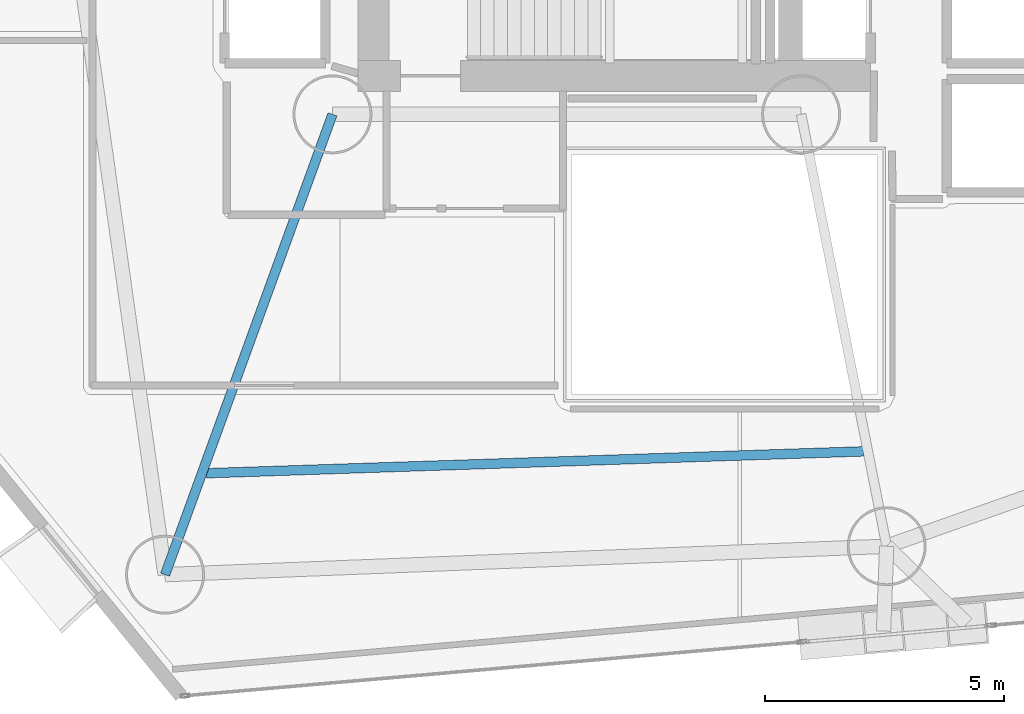
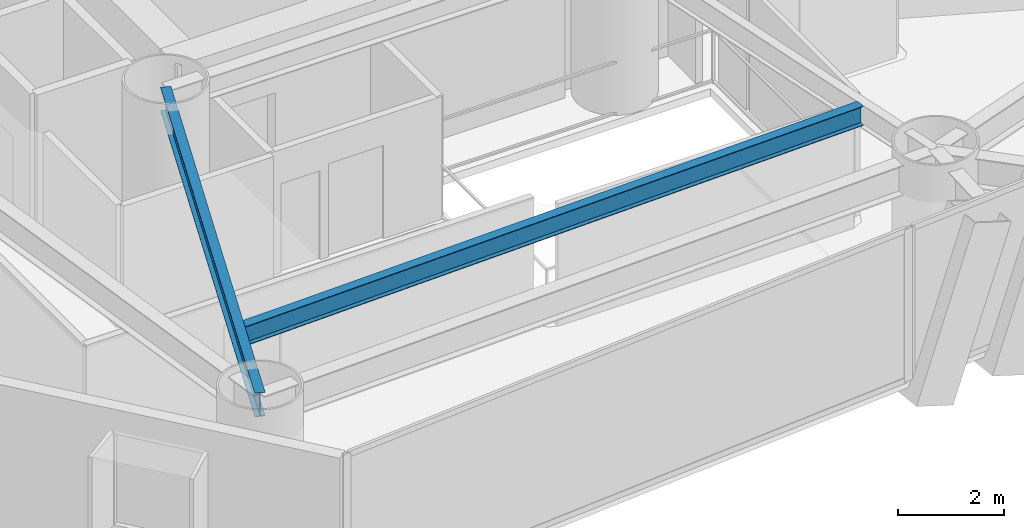
# One storey, part 3 of 23: 2 beams.
"""IFC4 building model written with IfcOpenShell, lengths in metres."""

import ifcopenshell
import ifcopenshell.guid

model = None  # the IFC model being written
_history = None  # IfcOwnerHistory: only IFC2X3 demands one
_inside = {}  # id of a spatial element -> (the spatial element, [elements in it])
_under = {}  # id of a project, library or spatial element -> (it, [spatial elements below it])
_declared = {}  # id of a project -> (the project, [libraries it declares])
_typed = {}  # id of a type object -> (the type object, [elements of that type])
_made_of = {}  # id of a material, layer set ... -> (it, [elements and type objects made of it])


def new_model(schema):
    """Start an empty IFC model of exactly this schema.

    Asked for "IFC4X3", IfcOpenShell would pick the latest addendum, in which some entities
    have other attributes; the version numbers below select the first issue.
    IFC2X3 requires an IfcOwnerHistory on every rooted entity: one is made here for all.
    """
    global model, _history
    if schema == "IFC4X3":
        model = ifcopenshell.file(schema_version=(4, 3, 0, 0))
    else:
        model = ifcopenshell.file(schema=schema)
    _inside.clear()
    _under.clear()
    _declared.clear()
    _typed.clear()
    _made_of.clear()
    _history = None
    if model.schema == "IFC2X3":
        org = make("IfcOrganization", Name="unknown")
        user = make(
            "IfcPersonAndOrganization",
            ThePerson=make("IfcPerson", FamilyName="unknown"),
            TheOrganization=org,
        )
        app = make(
            "IfcApplication",
            ApplicationDeveloper=org,
            Version="unknown",
            ApplicationFullName="unknown",
            ApplicationIdentifier="unknown",
        )
        _history = make(
            "IfcOwnerHistory",
            OwningUser=user,
            OwningApplication=app,
            ChangeAction="ADDED",
            CreationDate=0,
        )
    return model


def make(cls, **values):
    """One entity of the class cls with the attributes given. An attribute that is None is left unset."""
    return model.create_entity(
        cls, **{name: value for name, value in values.items() if value is not None}
    )


def rooted(cls, **values):
    """An entity with a GlobalId (a new one), such as an element, a storey or a relation."""
    return make(cls, GlobalId=ifcopenshell.guid.new(), OwnerHistory=_history, **values)


def si_unit(unit_type, name, prefix=None):
    """IfcSIUnit, for example si_unit("LENGTHUNIT", "METRE", prefix="MILLI")."""
    return make("IfcSIUnit", UnitType=unit_type, Prefix=prefix, Name=name)


def assignment(units):
    """IfcUnitAssignment: the units of a project."""
    return None if units is None else make("IfcUnitAssignment", Units=units)


def point(xyz):
    """IfcCartesianPoint."""
    return None if xyz is None else make("IfcCartesianPoint", Coordinates=xyz)


def direction(xyz):
    """IfcDirection."""
    return None if xyz is None else make("IfcDirection", DirectionRatios=xyz)


def frame(location, z_axis=None, x_axis=None):
    """IfcAxis2Placement3D, a coordinate frame: its origin and axes. An axis left out is left unset."""
    return make(
        "IfcAxis2Placement3D",
        Location=point(location),
        Axis=direction(z_axis),
        RefDirection=direction(x_axis),
    )


def frame_2d(location, x_axis=None):
    """IfcAxis2Placement2D, a coordinate frame in the plane: its origin and x axis."""
    return make(
        "IfcAxis2Placement2D", Location=point(location), RefDirection=direction(x_axis)
    )


def origin():
    """The frame at (0, 0, 0) with its axes left unset."""
    return frame((0.0, 0.0, 0.0))


def origin_2d():
    """The frame at (0, 0) in the plane with its x axis left unset."""
    return frame_2d((0.0, 0.0))


def place(relative_to, where):
    """IfcLocalPlacement: puts the frame where relative to a parent placement (None: the world)."""
    return make(
        "IfcLocalPlacement", PlacementRelTo=relative_to, RelativePlacement=where
    )


def context(
    kind, dimensions, precision=None, world=None, true_north=None, identifier=None
):
    """IfcGeometricRepresentationContext, for example the 3D "Model" context."""
    return make(
        "IfcGeometricRepresentationContext",
        ContextIdentifier=identifier,
        ContextType=kind,
        CoordinateSpaceDimension=dimensions,
        Precision=precision,
        WorldCoordinateSystem=world,
        TrueNorth=true_north,
    )


def subcontext(parent, identifier, kind, view, scale=None):
    """IfcGeometricRepresentationSubContext, for example "Body" below "Model"."""
    return make(
        "IfcGeometricRepresentationSubContext",
        ContextIdentifier=identifier,
        ContextType=kind,
        ParentContext=parent,
        TargetScale=scale,
        TargetView=view,
    )


def project(units=None, contexts=None):
    """IfcProject with its units and contexts."""
    return rooted(
        "IfcProject",
        Name="project",
        RepresentationContexts=contexts,
        UnitsInContext=assignment(units),
    )


def spatial(cls, under=None, at=None, **own):
    """A site, building, storey or space (cls), placed at a placement, below another one or the project."""
    s = rooted(cls, ObjectPlacement=at, **own)
    if under is not None:
        _under.setdefault(under.id(), (under, []))[1].append(s)
    return s


def profile(cls, at=None, kind="AREA", **sizes):
    """A parametric profile (cls). Its sizes go by their IFC names, for example OverallWidth=200.0."""
    return make(cls, ProfileType=kind, Position=at, **sizes)


def i_section(**sizes):
    """IfcIShapeProfileDef."""
    return profile("IfcIShapeProfileDef", **sizes)


def extrude(swept, where, along, depth):
    """IfcExtrudedAreaSolid: the profile swept, set in the frame where, extruded along a direction by depth."""
    return make(
        "IfcExtrudedAreaSolid",
        SweptArea=swept,
        Position=where,
        ExtrudedDirection=direction(along),
        Depth=depth,
    )


def shape(context_of_items, identifier, shape_type, items):
    """IfcShapeRepresentation: the items that make up one representation, for example the "Body"."""
    return make(
        "IfcShapeRepresentation",
        ContextOfItems=context_of_items,
        RepresentationIdentifier=identifier,
        RepresentationType=shape_type,
        Items=items,
    )


def material(Name=None, Category=None):
    """IfcMaterial."""
    return make("IfcMaterial", Name=Name, Category=Category)


def material_profile(
    of_material, cross_section, Name=None, Category=None, Priority=None
):
    """IfcMaterialProfile: a cross section and its material."""
    return make(
        "IfcMaterialProfile",
        Name=Name,
        Material=of_material,
        Profile=cross_section,
        Priority=Priority,
        Category=Category,
    )


def profile_set(profiles, Name=None, composite=None):
    """IfcMaterialProfileSet."""
    return make(
        "IfcMaterialProfileSet",
        Name=Name,
        MaterialProfiles=profiles,
        CompositeProfile=composite,
    )


def made_of(thing, what):
    """Note that an element or type object is made of a material, layer set ...; save() writes the relation."""
    if what is not None:
        _made_of.setdefault(what.id(), (what, []))[1].append(thing)
    return thing


def type_object(cls, material=None, **own):
    """A type object (cls), such as IfcWallType, which elements share."""
    return made_of(rooted(cls, **own), material)


def element(
    cls,
    number,
    at=None,
    inside=None,
    cuts=None,
    type_object=None,
    material=None,
    context=None,
    identifier="Body",
    shape_type=None,
    held_by="IfcProductDefinitionShape",
    body=None,
    shapes=None,
    **own,
):
    """One element of the class cls, such as IfcWall. Its Tag is "e" and its number.

    at: its placement. inside: the storey or other place that contains it. cuts: it is an
    opening in that element (IfcRelVoidsElement). A single representation is given by context,
    identifier, shape_type and body (its items); several are given by shapes. held_by: the class
    of the entity that holds the representations. save() writes the other relations.
    """
    e = rooted(cls, Tag="e%d" % number, ObjectPlacement=at, **own)
    if body is not None:
        shapes = [shape(context, identifier, shape_type, body)]
    if shapes is not None:
        e.Representation = make(held_by, Representations=shapes)
    if inside is not None:
        _inside.setdefault(inside.id(), (inside, []))[1].append(e)
    if cuts is not None:
        rooted(
            "IfcRelVoidsElement", RelatingBuildingElement=cuts, RelatedOpeningElement=e
        )
    if type_object is not None:
        _typed.setdefault(type_object.id(), (type_object, []))[1].append(e)
    return made_of(e, material)


def aggregate(whole, parts):
    """IfcRelAggregates: a whole, such as a stair, and the parts it consists of."""
    return rooted("IfcRelAggregates", RelatingObject=whole, RelatedObjects=parts)


def save(model, path):
    """Write the relations noted so far, then the file.

    IfcRelAggregates (storeys below a building ...), IfcRelContainedInSpatialStructure (elements
    in a storey), IfcRelDefinesByType, IfcRelAssociatesMaterial and IfcRelDeclares: one each for
    every whole, place, type object, material and project.
    """
    for whole, parts in _under.values():
        aggregate(whole, parts)
    for where, things in _inside.values():
        rooted(
            "IfcRelContainedInSpatialStructure",
            RelatedElements=things,
            RelatingStructure=where,
        )
    for kind, things in _typed.values():
        rooted("IfcRelDefinesByType", RelatedObjects=things, RelatingType=kind)
    for what, things in _made_of.values():
        rooted("IfcRelAssociatesMaterial", RelatedObjects=things, RelatingMaterial=what)
    for by, libraries in _declared.values():
        rooted("IfcRelDeclares", RelatingContext=by, RelatedDefinitions=libraries)
    model.write(path)


model = new_model("IFC4")

# Units and contexts
model_context = context("Model", 3, precision=1e-05, world=origin(), true_north=direction((0.0, 1.0)))
body_context = subcontext(model_context, "Body", "Model", "MODEL_VIEW")
ifc_project = project(units=[si_unit("LENGTHUNIT", "METRE"), si_unit("AREAUNIT", "SQUARE_METRE"), si_unit("VOLUMEUNIT", "CUBIC_METRE"), si_unit("PLANEANGLEUNIT", "RADIAN"), si_unit("MASSUNIT", "GRAM", prefix="KILO")], contexts=[model_context])

# Site, building, storey
site_placement = place(None, origin())
site = spatial("IfcSite", under=ifc_project, at=site_placement, CompositionType="ELEMENT")
building_placement = place(site_placement, origin())
building = spatial("IfcBuilding", under=site, at=building_placement, Name="Qianvela Tower", CompositionType="ELEMENT")
storey_placement = place(building_placement, frame((0.0, 0.0, 63.60009765625)))
storey = spatial("IfcBuildingStorey", under=building, at=storey_placement, Name="L15", CompositionType="ELEMENT", Elevation=63.60009765625)

# Beams
ifc_material_1 = material(Name="Steel Q355B", Category="steel")
ifc_material_profile_1 = material_profile(ifc_material_1, i_section(OverallWidth=0.199951171875, OverallDepth=0.449951171875, WebThickness=0.009033203125, FlangeThickness=0.013916015625, at=origin_2d()), Name="HN450x200x9x14")
ifc_profile_set_1 = profile_set([ifc_material_profile_1], Name="Steel Q355B")
beam_type_1 = type_object("IfcBeamType", Name="BM-HN450-JOIST", PredefinedType="JOIST", material=ifc_profile_set_1)
beam_1_placement = place(storey_placement, frame((25.9658203125, 16.345703125, 3.29296875), z_axis=(0.999447329793, 0.033242066273, 0.0), x_axis=(-0.033242066273, 0.999447329793, 0.0)))
element("IfcBeam", 1, at=beam_1_placement, inside=storey, type_object=beam_type_1, Name="L15 Secondary Composite Floor Joist 5.3", PredefinedType="JOIST", context=body_context, shape_type="SweptSolid", body=[
    extrude(i_section(OverallWidth=0.199951171875, OverallDepth=0.449951171875, WebThickness=0.009033203125, FlangeThickness=0.013916015625, at=origin_2d()), origin(), (0.0, 0.0, 1.0), 13.7412109375),
])
ifc_material_2 = material(Name="Steel Q355B", Category="steel")
ifc_material_profile_2 = material_profile(ifc_material_2, i_section(OverallWidth=0.199951171875, OverallDepth=0.550048828125, WebThickness=0.010009765625, FlangeThickness=0.01611328125, at=origin_2d()), Name="HN550x200x10x16")
ifc_profile_set_2 = profile_set([ifc_material_profile_2], Name="Steel Q355B")
beam_type_2 = type_object("IfcBeamType", Name="BM-HN550-GIRD", PredefinedType="BEAM", material=ifc_profile_set_2)
beam_2_placement = place(storey_placement, frame((28.60009765625, 23.85009765625, 3.242919921875), z_axis=(-0.341743063087, -0.939793423488, 0.0), x_axis=(0.939793423488, -0.341743063087, 0.0)))
element("IfcBeam", 2, at=beam_2_placement, inside=storey, type_object=beam_type_2, Name="L15 Radial Primary Floor Girder 5", PredefinedType="BEAM", context=body_context, shape_type="SweptSolid", body=[
    extrude(i_section(OverallWidth=0.199951171875, OverallDepth=0.550048828125, WebThickness=0.010009765625, FlangeThickness=0.01611328125, at=origin_2d()), origin(), (0.0, 0.0, 1.0), 10.24169921875),
])

save(model, "model.ifc")
